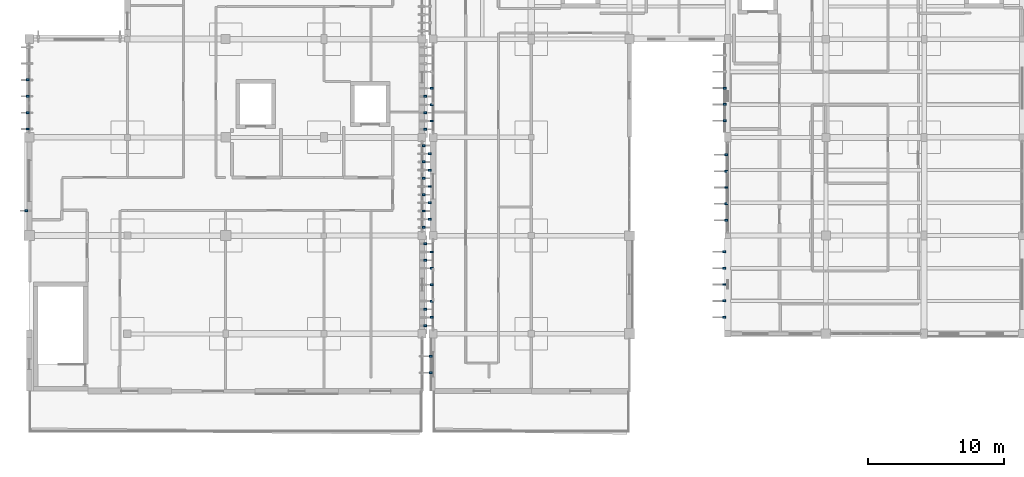
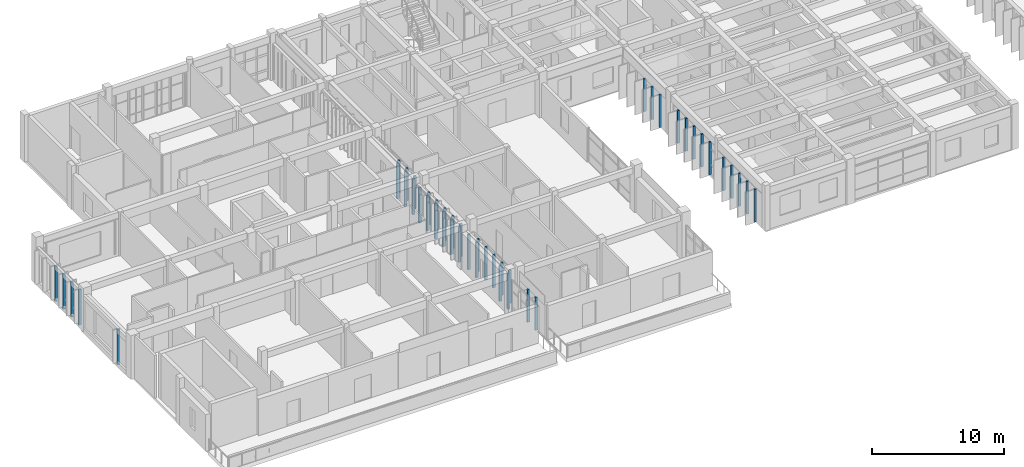
# One storey, part 45 of 55: 46 discrete accessories.
"""IFC4 building model written with IfcOpenShell, lengths in metres."""

from ifc_helpers import new_model, si_unit, direction, frame, origin, origin_2d, place, context, subcontext, project, spatial, rectangle, extrude, material, type_object, element, save


model = new_model("IFC4")

# Units and contexts
model_context = context("Model", 3, precision=1e-05, world=origin(), true_north=direction((0.0, 1.0)))
body_context = subcontext(model_context, "Body", "Model", "MODEL_VIEW")
ifc_project = project(units=[si_unit("LENGTHUNIT", "METRE"), si_unit("AREAUNIT", "SQUARE_METRE"), si_unit("VOLUMEUNIT", "CUBIC_METRE"), si_unit("PLANEANGLEUNIT", "RADIAN"), si_unit("MASSUNIT", "GRAM", prefix="KILO")], contexts=[model_context])

# Site, building, storey
site_placement = place(None, origin())
site = spatial("IfcSite", under=ifc_project, at=site_placement, CompositionType="ELEMENT")
building_placement = place(site_placement, origin())
building = spatial("IfcBuilding", under=site, at=building_placement, Name="Steenspoor Specialist Clinic", CompositionType="ELEMENT")
storey_placement = place(building_placement, frame((0.0, 0.0, 13.199951171875)))
storey = spatial("IfcBuildingStorey", under=building, at=storey_placement, Name="L03", CompositionType="ELEMENT", Elevation=13.199951171875)

# Discrete accessories
ifc_material = material(Name="Galvanised steel mounting bracket", Category="steel")
discrete_accessory_type = type_object("IfcDiscreteAccessoryType", Name="ACC-BRACKET-FIN", PredefinedType="BRACKET", material=ifc_material)
for number, where, z_axis, x_axis, name in (
    (1, (73.760009765625, 73.5625, 0.0498046875), (0.0, 0.0, 1.0), (-1.0, 0.0, 0.0), "Fin Mounting Bracket 108"),
    (2, (73.760009765625, 74.762451171875, 0.0498046875), (0.0, 0.0, 1.0), (-1.0, 0.0, 0.0), "Fin Mounting Bracket 109"),
    (3, (73.760009765625, 75.96240234375, 0.0498046875), (0.0, 0.0, 1.0), (-1.0, 0.0, 0.0), "Fin Mounting Bracket 110"),
    (4, (73.760009765625, 77.16259765625, 0.0498046875), (0.0, 0.0, 1.0), (-1.0, 0.0, 0.0), "Fin Mounting Bracket 111"),
    (5, (73.760009765625, 78.362548828125, 0.0498046875), (0.0, 0.0, 1.0), (-1.0, 0.0, 0.0), "Fin Mounting Bracket 112"),
    (6, (73.889892578125, 80.675048828125, 0.0498046875), (0.0, 0.0, 1.0), (-1.0, 0.0, 0.0), "Fin Mounting Bracket 113"),
    (7, (73.889892578125, 81.875, 0.0498046875), (0.0, 0.0, 1.0), (-1.0, 0.0, 0.0), "Fin Mounting Bracket 114"),
    (8, (73.889892578125, 83.074951171875, 0.0498046875), (0.0, 0.0, 1.0), (-1.0, 0.0, 0.0), "Fin Mounting Bracket 115"),
    (9, (73.889892578125, 84.27490234375, 0.0498046875), (0.0, 0.0, 1.0), (-1.0, 0.0, 0.0), "Fin Mounting Bracket 116"),
    (10, (73.889892578125, 85.47509765625, 0.0498046875), (0.0, 0.0, 1.0), (-1.0, 0.0, 0.0), "Fin Mounting Bracket 117"),
    (11, (73.77490234375, 87.96240234375, 0.0498046875), (0.0, 0.0, 1.0), (-1.0, 0.0, 0.0), "Fin Mounting Bracket 118"),
    (12, (73.77490234375, 89.16259765625, 0.0498046875), (0.0, 0.0, 1.0), (-1.0, 0.0, 0.0), "Fin Mounting Bracket 119"),
    (13, (73.77490234375, 90.362548828125, 0.0498046875), (0.0, 0.0, 1.0), (-1.0, 0.0, 0.0), "Fin Mounting Bracket 120"),
    (14, (52.25, 69.5, 0.0498046875), (0.0, 0.0, 1.0), (-1.0, 0.0, 0.0), "Fin Mounting Bracket 123"),
    (15, (52.25, 70.699951171875, 0.0498046875), (0.0, 0.0, 1.0), (-1.0, 0.0, 0.0), "Fin Mounting Bracket 124"),
    (16, (52.2900390625, 73.550048828125, 0.0498046875), (0.0, 0.0, 1.0), (-1.0, 0.0, 0.0), "Fin Mounting Bracket 125"),
    (17, (52.2900390625, 74.75, 0.0498046875), (0.0, 0.0, 1.0), (-1.0, 0.0, 0.0), "Fin Mounting Bracket 126"),
    (18, (52.2900390625, 75.949951171875, 0.0498046875), (0.0, 0.0, 1.0), (-1.0, 0.0, 0.0), "Fin Mounting Bracket 127"),
    (19, (52.2900390625, 77.14990234375, 0.0498046875), (0.0, 0.0, 1.0), (-1.0, 0.0, 0.0), "Fin Mounting Bracket 128"),
    (20, (52.2900390625, 78.35009765625, 0.0498046875), (0.0, 0.0, 1.0), (-1.0, 0.0, 0.0), "Fin Mounting Bracket 129"),
    (21, (52.159912109375, 80.75, 0.0498046875), (0.0, 0.0, 1.0), (-1.0, 0.0, 0.0), "Fin Mounting Bracket 130"),
    (22, (52.159912109375, 81.949951171875, 0.0498046875), (0.0, 0.0, 1.0), (-1.0, 0.0, 0.0), "Fin Mounting Bracket 131"),
    (23, (52.159912109375, 83.14990234375, 0.0498046875), (0.0, 0.0, 1.0), (-1.0, 0.0, 0.0), "Fin Mounting Bracket 132"),
    (24, (52.159912109375, 84.35009765625, 0.0498046875), (0.0, 0.0, 1.0), (-1.0, 0.0, 0.0), "Fin Mounting Bracket 133"),
    (25, (52.159912109375, 85.550048828125, 0.0498046875), (0.0, 0.0, 1.0), (-1.0, 0.0, 0.0), "Fin Mounting Bracket 134"),
    (26, (52.2900390625, 87.949951171875, 0.0498046875), (0.0, 0.0, 1.0), (-1.0, 0.0, 0.0), "Fin Mounting Bracket 135"),
    (27, (52.2900390625, 89.14990234375, 0.0498046875), (0.0, 0.0, 1.0), (-1.0, 0.0, 0.0), "Fin Mounting Bracket 136"),
    (28, (52.2900390625, 90.35009765625, 0.0498046875), (0.0, 0.0, 1.0), (-1.0, 0.0, 0.0), "Fin Mounting Bracket 137"),
):
    element("IfcDiscreteAccessory", number, at=place(storey_placement, frame(where, z_axis=z_axis, x_axis=x_axis)), inside=storey, type_object=discrete_accessory_type, Name=name, PredefinedType="BRACKET", context=body_context, shape_type="SweptSolid", body=[
        extrude(rectangle(XDim=0.219970703125, YDim=0.139892578125, at=origin_2d()), origin(), (0.0, 0.0, 1.0), 3.030029296875),
    ])
for number, where, z_axis, x_axis, name in (
    (29, (22.590087890625, 81.362548828125, 0.050048828125), (0.0, 0.0, 1.0), (-1.0, 0.0, 0.0), "Timber Screen Bracket 180"),
    (30, (22.68994140625, 87.362548828125, 0.050048828125), (0.0, 0.0, 1.0), (-1.0, 0.0, 0.0), "Timber Screen Bracket 183"),
    (31, (22.68994140625, 88.5625, 0.050048828125), (0.0, 0.0, 1.0), (-1.0, 0.0, 0.0), "Timber Screen Bracket 184"),
    (32, (22.68994140625, 89.762451171875, 0.050048828125), (0.0, 0.0, 1.0), (-1.0, 0.0, 0.0), "Timber Screen Bracket 185"),
    (33, (22.68994140625, 90.96240234375, 0.050048828125), (0.0, 0.0, 1.0), (-1.0, 0.0, 0.0), "Timber Screen Bracket 186"),
    (34, (51.840087890625, 89.75, 0.050048828125), (0.0, 0.0, 1.0), (1.0, 0.0, 0.0), "Timber Screen Bracket 219"),
    (35, (51.840087890625, 88.550048828125, 0.050048828125), (0.0, 0.0, 1.0), (1.0, 0.0, 0.0), "Timber Screen Bracket 220"),
    (36, (51.840087890625, 87.35009765625, 0.050048828125), (0.0, 0.0, 1.0), (1.0, 0.0, 0.0), "Timber Screen Bracket 221"),
    (37, (51.7099609375, 86.14990234375, 0.050048828125), (0.0, 0.0, 1.0), (1.0, 0.0, 0.0), "Timber Screen Bracket 224"),
    (38, (51.7099609375, 84.949951171875, 0.050048828125), (0.0, 0.0, 1.0), (1.0, 0.0, 0.0), "Timber Screen Bracket 225"),
    (39, (51.7099609375, 83.75, 0.050048828125), (0.0, 0.0, 1.0), (1.0, 0.0, 0.0), "Timber Screen Bracket 226"),
    (40, (51.7099609375, 82.550048828125, 0.050048828125), (0.0, 0.0, 1.0), (1.0, 0.0, 0.0), "Timber Screen Bracket 227"),
    (41, (51.7099609375, 81.35009765625, 0.050048828125), (0.0, 0.0, 1.0), (1.0, 0.0, 0.0), "Timber Screen Bracket 228"),
    (42, (51.7099609375, 80.14990234375, 0.050048828125), (0.0, 0.0, 1.0), (1.0, 0.0, 0.0), "Timber Screen Bracket 229"),
    (43, (51.824951171875, 78.949951171875, 0.050048828125), (0.0, 0.0, 1.0), (1.0, 0.0, 0.0), "Timber Screen Bracket 232"),
    (44, (51.824951171875, 77.75, 0.050048828125), (0.0, 0.0, 1.0), (1.0, 0.0, 0.0), "Timber Screen Bracket 233"),
    (45, (51.824951171875, 74.14990234375, 0.050048828125), (0.0, 0.0, 1.0), (1.0, 0.0, 0.0), "Timber Screen Bracket 234"),
    (46, (51.824951171875, 72.949951171875, 0.050048828125), (0.0, 0.0, 1.0), (1.0, 0.0, 0.0), "Timber Screen Bracket 235"),
):
    element("IfcDiscreteAccessory", number, at=place(storey_placement, frame(where, z_axis=z_axis, x_axis=x_axis)), inside=storey, type_object=discrete_accessory_type, Name=name, PredefinedType="BRACKET", context=body_context, shape_type="SweptSolid", body=[
        extrude(rectangle(XDim=0.219970703125, YDim=0.139892578125, at=origin_2d()), origin(), (0.0, 0.0, 1.0), 3.27001953125),
    ])

save(model, "model.ifc")
